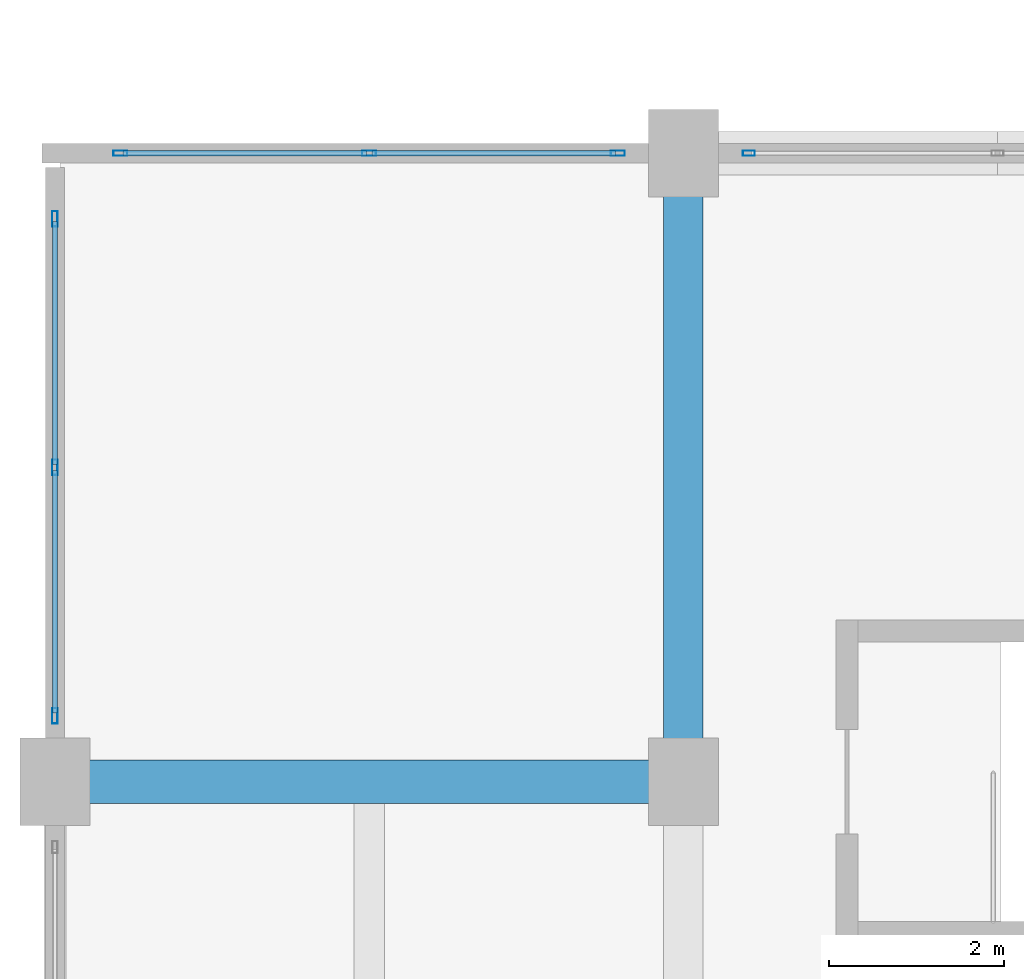
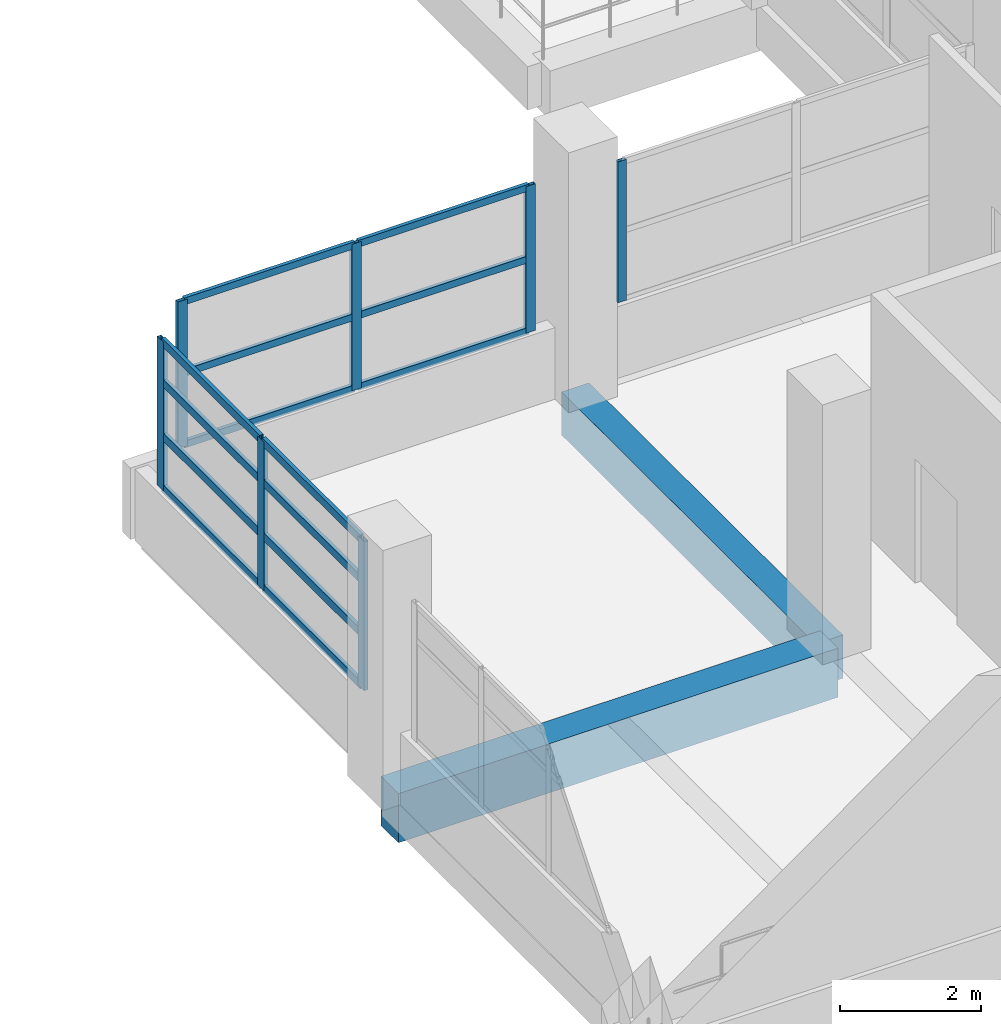
# One storey, part 4 of 141: 21 members, 2 beams, 3 elements without a shape of their own.
"""IFC4 building model written with IfcOpenShell, lengths in metres."""

from ifc_helpers import new_model, si_unit, direction, frame, origin, origin_2d, place, context, subcontext, project, spatial, rectangle, hollow_rectangle, extrude, material, layer, layer_set, material_profile, profile_set, type_object, element, aggregate, save


model = new_model("IFC4")

# Units and contexts
model_context = context("Model", 3, precision=1e-05, world=origin(), true_north=direction((0.0, 1.0)))
body_context = subcontext(model_context, "Body", "Model", "MODEL_VIEW")
ifc_project = project(units=[si_unit("LENGTHUNIT", "METRE"), si_unit("AREAUNIT", "SQUARE_METRE"), si_unit("VOLUMEUNIT", "CUBIC_METRE"), si_unit("PLANEANGLEUNIT", "RADIAN"), si_unit("MASSUNIT", "GRAM", prefix="KILO")], contexts=[model_context])

# Site, building, storey
site_placement = place(None, origin())
site = spatial("IfcSite", under=ifc_project, at=site_placement, CompositionType="ELEMENT")
building_placement = place(site_placement, origin())
building = spatial("IfcBuilding", under=site, at=building_placement, Name="Seraya Terrace Polytechnic", CompositionType="ELEMENT")
storey_placement = place(building_placement, frame((0.0, 0.0, 14.39990234375)))
storey = spatial("IfcBuildingStorey", under=building, at=storey_placement, Name="L03", CompositionType="ELEMENT", Elevation=14.39990234375)

# Beams
ifc_material_1 = material(Name="Concrete C40/50", Category="concrete")
ifc_material_profile_1 = material_profile(ifc_material_1, rectangle(XDim=0.5, YDim=0.85009765625, at=origin_2d()), Name="RC 500x850")
ifc_profile_set_1 = profile_set([ifc_material_profile_1], Name="Concrete C40/50")
beam_type_1 = type_object("IfcBeamType", Name="BM-05", PredefinedType="BEAM", material=ifc_profile_set_1)
beam_1_placement = place(storey_placement, frame((0.0, 21.60009765625, -0.4248046875), z_axis=(1.0, 0.0, 0.0), x_axis=(0.0, 1.0, 0.0)))
element("IfcBeam", 1, at=beam_1_placement, inside=storey, type_object=beam_type_1, Name="Beam BM-05 L03 X (0.0..7.2, 21.6)", PredefinedType="BEAM", context=body_context, shape_type="SweptSolid", body=[
    extrude(rectangle(XDim=0.5, YDim=0.85009765625, at=origin_2d()), origin(), (0.0, 0.0, 1.0), 7.199951171875),
])
ifc_material_profile_2 = material_profile(ifc_material_1, rectangle(XDim=0.449951171875, YDim=0.75, at=origin_2d()), Name="RC 450x750")
ifc_profile_set_2 = profile_set([ifc_material_profile_2], Name="Concrete C40/50")
beam_type_2 = type_object("IfcBeamType", Name="BM-08", PredefinedType="BEAM", material=ifc_profile_set_2)
beam_2_placement = place(storey_placement, frame((7.199951171875, 21.60009765625, -0.375), z_axis=(0.0, 1.0, 0.0), x_axis=(-1.0, 0.0, 0.0)))
element("IfcBeam", 2, at=beam_2_placement, inside=storey, type_object=beam_type_2, Name="Beam BM-08 L03 Y (7.2, 21.6..28.8)", PredefinedType="BEAM", context=body_context, shape_type="SweptSolid", body=[
    extrude(rectangle(XDim=0.449951171875, YDim=0.75, at=origin_2d()), origin(), (0.0, 0.0, 1.0), 7.199951171875),
])

# Curtain wall, members
ifc_material_2 = material(Name="Anodised aluminium EN AW-6063 T6", Category="aluminium")
ifc_layer_1 = layer(ifc_material_2, 0.179931640625, Name="CW-01")
ifc_layer_set_1 = layer_set([ifc_layer_1], Name="Anodised aluminium EN AW-6063 T6")
curtain_wall_type_1 = type_object("IfcCurtainWallType", Name="CW-01", PredefinedType="NOTDEFINED", material=ifc_layer_set_1)
curtain_wall_1_placement = place(storey_placement, origin())
curtain_wall_1 = element("IfcCurtainWall", 3, at=curtain_wall_1_placement, inside=storey, type_object=curtain_wall_type_1, Name="Unitised curtain wall CW-01 (CW-L03-109)", PredefinedType="NOTDEFINED")
ifc_material_profile_3 = material_profile(ifc_material_2, hollow_rectangle(XDim=0.06494140625, YDim=0.179931640625, WallThickness=0.00390625, at=origin_2d()), Name="RHS 180x65x4.0")
ifc_profile_set_3 = profile_set([ifc_material_profile_3], Name="Anodised aluminium EN AW-6063 T6")
member_type_1 = type_object("IfcMemberType", Name="CWM-01", PredefinedType="MULLION", material=ifc_profile_set_3)
member_1_placement = place(storey_placement, frame((0.0, 22.3525390625, 1.239990234375), z_axis=(0.0, 0.0, 1.0), x_axis=(-1.0, 0.0, 0.0)))
member_1 = element("IfcMember", 4, at=member_1_placement, type_object=member_type_1, Name="CW-01 mullion 1", PredefinedType="MULLION", context=body_context, shape_type="SweptSolid", body=[
    extrude(hollow_rectangle(XDim=0.06494140625, YDim=0.179931640625, WallThickness=0.00390625, at=origin_2d()), origin(), (0.0, 0.0, 1.0), 2.580078125),
])
member_2_placement = place(storey_placement, frame((0.0, 25.199951171875, 1.239990234375), z_axis=(0.0, 0.0, 1.0), x_axis=(-1.0, 0.0, 0.0)))
member_2 = element("IfcMember", 5, at=member_2_placement, type_object=member_type_1, Name="CW-01 mullion 2", PredefinedType="MULLION", context=body_context, shape_type="SweptSolid", body=[
    extrude(hollow_rectangle(XDim=0.06494140625, YDim=0.179931640625, WallThickness=0.00390625, at=origin_2d()), origin(), (0.0, 0.0, 1.0), 2.580078125),
])
member_3_placement = place(storey_placement, frame((0.0, 28.047607421875, 1.239990234375), z_axis=(0.0, 0.0, 1.0), x_axis=(-1.0, 0.0, 0.0)))
member_3 = element("IfcMember", 6, at=member_3_placement, type_object=member_type_1, Name="CW-01 mullion 3", PredefinedType="MULLION", context=body_context, shape_type="SweptSolid", body=[
    extrude(hollow_rectangle(XDim=0.06494140625, YDim=0.179931640625, WallThickness=0.00390625, at=origin_2d()), origin(), (0.0, 0.0, 1.0), 2.580078125),
])

ifc_layer_2 = layer(ifc_material_2, 0.179931640625, Name="CW-02")
ifc_layer_set_2 = layer_set([ifc_layer_2], Name="Anodised aluminium EN AW-6063 T6")
curtain_wall_type_2 = type_object("IfcCurtainWallType", Name="CW-02", PredefinedType="NOTDEFINED", material=ifc_layer_set_2)
curtain_wall_2_placement = place(storey_placement, origin())
curtain_wall_2 = element("IfcCurtainWall", 7, at=curtain_wall_2_placement, inside=storey, type_object=curtain_wall_type_2, Name="Unitised curtain wall CW-02 (CW-L03-110)", PredefinedType="NOTDEFINED")
ifc_material_profile_4 = material_profile(ifc_material_2, hollow_rectangle(XDim=0.06005859375, YDim=0.159912109375, WallThickness=0.00341796875, at=origin_2d()), Name="RHS 160x60x3.5")
ifc_profile_set_4 = profile_set([ifc_material_profile_4], Name="Anodised aluminium EN AW-6063 T6")
member_type_2 = type_object("IfcMemberType", Name="CWM-02", PredefinedType="MULLION", material=ifc_profile_set_4)
member_4_placement = place(storey_placement, frame((0.75, 28.800048828125, 1.239990234375), z_axis=(0.0, 0.0, 1.0), x_axis=(0.0, 1.0, 0.0)))
member_4 = element("IfcMember", 8, at=member_4_placement, type_object=member_type_2, Name="CW-02 mullion 1", PredefinedType="MULLION", context=body_context, shape_type="SweptSolid", body=[
    extrude(hollow_rectangle(XDim=0.06005859375, YDim=0.159912109375, WallThickness=0.00341796875, at=origin_2d()), origin(), (0.0, 0.0, 1.0), 2.5400390625),
])
member_5_placement = place(storey_placement, frame((3.60009765625, 28.800048828125, 1.239990234375), z_axis=(0.0, 0.0, 1.0), x_axis=(0.0, 1.0, 0.0)))
member_5 = element("IfcMember", 9, at=member_5_placement, type_object=member_type_2, Name="CW-02 mullion 2", PredefinedType="MULLION", context=body_context, shape_type="SweptSolid", body=[
    extrude(hollow_rectangle(XDim=0.06005859375, YDim=0.159912109375, WallThickness=0.00341796875, at=origin_2d()), origin(), (0.0, 0.0, 1.0), 2.5400390625),
])
member_6_placement = place(storey_placement, frame((6.449951171875, 28.800048828125, 1.239990234375), z_axis=(0.0, 0.0, 1.0), x_axis=(0.0, 1.0, 0.0)))
member_6 = element("IfcMember", 10, at=member_6_placement, type_object=member_type_2, Name="CW-02 mullion 3", PredefinedType="MULLION", context=body_context, shape_type="SweptSolid", body=[
    extrude(hollow_rectangle(XDim=0.06005859375, YDim=0.159912109375, WallThickness=0.00341796875, at=origin_2d()), origin(), (0.0, 0.0, 1.0), 2.5400390625),
])

# Curtain wall, member
ifc_layer_3 = layer(ifc_material_2, 0.179931640625, Name="CW-03")
ifc_layer_set_3 = layer_set([ifc_layer_3], Name="Anodised aluminium EN AW-6063 T6")
curtain_wall_type_3 = type_object("IfcCurtainWallType", Name="CW-03", PredefinedType="NOTDEFINED", material=ifc_layer_set_3)
curtain_wall_3_placement = place(storey_placement, origin())
curtain_wall_3 = element("IfcCurtainWall", 11, at=curtain_wall_3_placement, inside=storey, type_object=curtain_wall_type_3, Name="Unitised curtain wall CW-03 (CW-L03-111)", PredefinedType="NOTDEFINED")
ifc_material_profile_5 = material_profile(ifc_material_2, hollow_rectangle(XDim=0.06005859375, YDim=0.139892578125, WallThickness=0.00341796875, at=origin_2d()), Name="RHS 140x60x3.5")
ifc_profile_set_5 = profile_set([ifc_material_profile_5], Name="Anodised aluminium EN AW-6063 T6")
member_type_3 = type_object("IfcMemberType", Name="CWM-03", PredefinedType="MULLION", material=ifc_profile_set_5)
member_7_placement = place(storey_placement, frame((7.949951171875, 28.800048828125, 1.239990234375), z_axis=(0.0, 0.0, 1.0), x_axis=(0.0, 1.0, 0.0)))
member_7 = element("IfcMember", 12, at=member_7_placement, type_object=member_type_3, Name="CW-03 mullion 1", PredefinedType="MULLION", context=body_context, shape_type="SweptSolid", body=[
    extrude(hollow_rectangle(XDim=0.06005859375, YDim=0.139892578125, WallThickness=0.00341796875, at=origin_2d()), origin(), (0.0, 0.0, 1.0), 2.440185546875),
])
aggregate(curtain_wall_3, [member_7])

# Member
ifc_material_profile_6 = material_profile(ifc_material_2, hollow_rectangle(XDim=0.06005859375, YDim=0.139892578125, WallThickness=0.00341796875, at=origin_2d()), Name="RHS 140x60x3.5")
ifc_profile_set_6 = profile_set([ifc_material_profile_6], Name="Anodised aluminium EN AW-6063 T6")
member_type_4 = type_object("IfcMemberType", Name="CWT-01", PredefinedType="USERDEFINED", material=ifc_profile_set_6)
member_8_placement = place(storey_placement, frame((0.0, 22.385009765625, 1.27001953125), z_axis=(0.0, 1.0, 0.0), x_axis=(-1.0, 0.0, 0.0)))
member_8 = element("IfcMember", 13, at=member_8_placement, type_object=member_type_4, Name="CW-01 transom 1.1", ObjectType="TRANSOM", PredefinedType="USERDEFINED", context=body_context, shape_type="SweptSolid", body=[
    extrude(hollow_rectangle(XDim=0.06005859375, YDim=0.139892578125, WallThickness=0.00341796875, at=origin_2d()), origin(), (0.0, 0.0, 1.0), 2.782470703125),
])

member_9_placement = place(storey_placement, frame((0.0, 22.385009765625, 2.1689453125), z_axis=(0.0, 1.0, 0.0), x_axis=(-1.0, 0.0, 0.0)))
member_9 = element("IfcMember", 14, at=member_9_placement, type_object=member_type_4, Name="CW-01 transom 1.2", ObjectType="TRANSOM", PredefinedType="USERDEFINED", context=body_context, shape_type="SweptSolid", body=[
    extrude(hollow_rectangle(XDim=0.06005859375, YDim=0.139892578125, WallThickness=0.00341796875, at=origin_2d()), origin(), (0.0, 0.0, 1.0), 2.782470703125),
])

member_10_placement = place(storey_placement, frame((0.0, 22.385009765625, 3.09765625), z_axis=(0.0, 1.0, 0.0), x_axis=(-1.0, 0.0, 0.0)))
member_10 = element("IfcMember", 15, at=member_10_placement, type_object=member_type_4, Name="CW-01 transom 1.3", ObjectType="TRANSOM", PredefinedType="USERDEFINED", context=body_context, shape_type="SweptSolid", body=[
    extrude(hollow_rectangle(XDim=0.06005859375, YDim=0.139892578125, WallThickness=0.00341796875, at=origin_2d()), origin(), (0.0, 0.0, 1.0), 2.782470703125),
])

member_11_placement = place(storey_placement, frame((0.0, 22.385009765625, 3.7900390625), z_axis=(0.0, 1.0, 0.0), x_axis=(-1.0, 0.0, 0.0)))
member_11 = element("IfcMember", 16, at=member_11_placement, type_object=member_type_4, Name="CW-01 transom 1.4", ObjectType="TRANSOM", PredefinedType="USERDEFINED", context=body_context, shape_type="SweptSolid", body=[
    extrude(hollow_rectangle(XDim=0.06005859375, YDim=0.139892578125, WallThickness=0.00341796875, at=origin_2d()), origin(), (0.0, 0.0, 1.0), 2.782470703125),
])

member_12_placement = place(storey_placement, frame((0.0, 25.232421875, 1.27001953125), z_axis=(0.0, 1.0, 0.0), x_axis=(-1.0, 0.0, 0.0)))
member_12 = element("IfcMember", 17, at=member_12_placement, type_object=member_type_4, Name="CW-01 transom 2.1", ObjectType="TRANSOM", PredefinedType="USERDEFINED", context=body_context, shape_type="SweptSolid", body=[
    extrude(hollow_rectangle(XDim=0.06005859375, YDim=0.139892578125, WallThickness=0.00341796875, at=origin_2d()), origin(), (0.0, 0.0, 1.0), 2.782470703125),
])

member_13_placement = place(storey_placement, frame((0.0, 25.232421875, 2.1689453125), z_axis=(0.0, 1.0, 0.0), x_axis=(-1.0, 0.0, 0.0)))
member_13 = element("IfcMember", 18, at=member_13_placement, type_object=member_type_4, Name="CW-01 transom 2.2", ObjectType="TRANSOM", PredefinedType="USERDEFINED", context=body_context, shape_type="SweptSolid", body=[
    extrude(hollow_rectangle(XDim=0.06005859375, YDim=0.139892578125, WallThickness=0.00341796875, at=origin_2d()), origin(), (0.0, 0.0, 1.0), 2.782470703125),
])

member_14_placement = place(storey_placement, frame((0.0, 25.232421875, 3.09765625), z_axis=(0.0, 1.0, 0.0), x_axis=(-1.0, 0.0, 0.0)))
member_14 = element("IfcMember", 19, at=member_14_placement, type_object=member_type_4, Name="CW-01 transom 2.3", ObjectType="TRANSOM", PredefinedType="USERDEFINED", context=body_context, shape_type="SweptSolid", body=[
    extrude(hollow_rectangle(XDim=0.06005859375, YDim=0.139892578125, WallThickness=0.00341796875, at=origin_2d()), origin(), (0.0, 0.0, 1.0), 2.782470703125),
])

member_15_placement = place(storey_placement, frame((0.0, 25.232421875, 3.7900390625), z_axis=(0.0, 1.0, 0.0), x_axis=(-1.0, 0.0, 0.0)))
member_15 = element("IfcMember", 20, at=member_15_placement, type_object=member_type_4, Name="CW-01 transom 2.4", ObjectType="TRANSOM", PredefinedType="USERDEFINED", context=body_context, shape_type="SweptSolid", body=[
    extrude(hollow_rectangle(XDim=0.06005859375, YDim=0.139892578125, WallThickness=0.00341796875, at=origin_2d()), origin(), (0.0, 0.0, 1.0), 2.782470703125),
])

aggregate(curtain_wall_1, [member_1, member_2, member_3, member_8, member_9, member_10, member_11, member_12, member_13, member_14, member_15])

ifc_material_profile_7 = material_profile(ifc_material_2, hollow_rectangle(XDim=0.06005859375, YDim=0.1201171875, WallThickness=0.003173828125, at=origin_2d()), Name="RHS 120x60x3.2")
ifc_profile_set_7 = profile_set([ifc_material_profile_7], Name="Anodised aluminium EN AW-6063 T6")
member_type_5 = type_object("IfcMemberType", Name="CWT-02", PredefinedType="USERDEFINED", material=ifc_profile_set_7)
member_16_placement = place(storey_placement, frame((0.780029296875, 28.800048828125, 1.27001953125), z_axis=(1.0, 0.0, 0.0), x_axis=(0.0, 1.0, 0.0)))
member_16 = element("IfcMember", 21, at=member_16_placement, type_object=member_type_5, Name="CW-02 transom 1.1", ObjectType="TRANSOM", PredefinedType="USERDEFINED", context=body_context, shape_type="SweptSolid", body=[
    extrude(hollow_rectangle(XDim=0.06005859375, YDim=0.1201171875, WallThickness=0.003173828125, at=origin_2d()), origin(), (0.0, 0.0, 1.0), 2.7900390625),
])

member_17_placement = place(storey_placement, frame((0.780029296875, 28.800048828125, 2.510009765625), z_axis=(1.0, 0.0, 0.0), x_axis=(0.0, 1.0, 0.0)))
member_17 = element("IfcMember", 22, at=member_17_placement, type_object=member_type_5, Name="CW-02 transom 1.2", ObjectType="TRANSOM", PredefinedType="USERDEFINED", context=body_context, shape_type="SweptSolid", body=[
    extrude(hollow_rectangle(XDim=0.06005859375, YDim=0.1201171875, WallThickness=0.003173828125, at=origin_2d()), origin(), (0.0, 0.0, 1.0), 2.7900390625),
])

member_18_placement = place(storey_placement, frame((0.780029296875, 28.800048828125, 3.75), z_axis=(1.0, 0.0, 0.0), x_axis=(0.0, 1.0, 0.0)))
member_18 = element("IfcMember", 23, at=member_18_placement, type_object=member_type_5, Name="CW-02 transom 1.3", ObjectType="TRANSOM", PredefinedType="USERDEFINED", context=body_context, shape_type="SweptSolid", body=[
    extrude(hollow_rectangle(XDim=0.06005859375, YDim=0.1201171875, WallThickness=0.003173828125, at=origin_2d()), origin(), (0.0, 0.0, 1.0), 2.7900390625),
])

member_19_placement = place(storey_placement, frame((3.6298828125, 28.800048828125, 1.27001953125), z_axis=(1.0, 0.0, 0.0), x_axis=(0.0, 1.0, 0.0)))
member_19 = element("IfcMember", 24, at=member_19_placement, type_object=member_type_5, Name="CW-02 transom 2.1", ObjectType="TRANSOM", PredefinedType="USERDEFINED", context=body_context, shape_type="SweptSolid", body=[
    extrude(hollow_rectangle(XDim=0.06005859375, YDim=0.1201171875, WallThickness=0.003173828125, at=origin_2d()), origin(), (0.0, 0.0, 1.0), 2.7900390625),
])

member_20_placement = place(storey_placement, frame((3.6298828125, 28.800048828125, 2.510009765625), z_axis=(1.0, 0.0, 0.0), x_axis=(0.0, 1.0, 0.0)))
member_20 = element("IfcMember", 25, at=member_20_placement, type_object=member_type_5, Name="CW-02 transom 2.2", ObjectType="TRANSOM", PredefinedType="USERDEFINED", context=body_context, shape_type="SweptSolid", body=[
    extrude(hollow_rectangle(XDim=0.06005859375, YDim=0.1201171875, WallThickness=0.003173828125, at=origin_2d()), origin(), (0.0, 0.0, 1.0), 2.7900390625),
])

member_21_placement = place(storey_placement, frame((3.6298828125, 28.800048828125, 3.75), z_axis=(1.0, 0.0, 0.0), x_axis=(0.0, 1.0, 0.0)))
member_21 = element("IfcMember", 26, at=member_21_placement, type_object=member_type_5, Name="CW-02 transom 2.3", ObjectType="TRANSOM", PredefinedType="USERDEFINED", context=body_context, shape_type="SweptSolid", body=[
    extrude(hollow_rectangle(XDim=0.06005859375, YDim=0.1201171875, WallThickness=0.003173828125, at=origin_2d()), origin(), (0.0, 0.0, 1.0), 2.7900390625),
])

aggregate(curtain_wall_2, [member_4, member_5, member_6, member_16, member_17, member_18, member_19, member_20, member_21])

save(model, "model.ifc")
